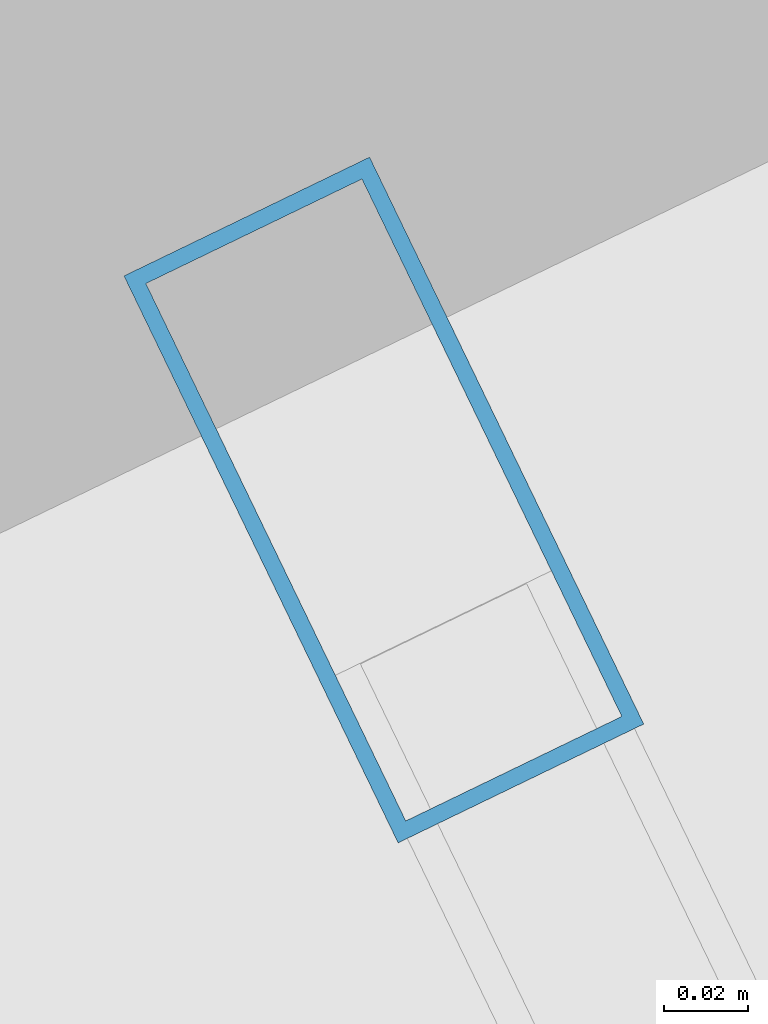
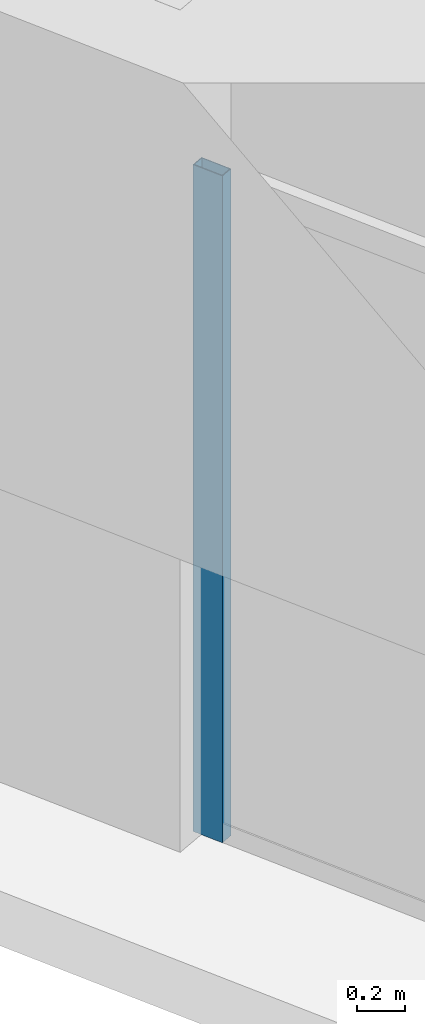
# One storey, part 16 of 39: 1 member, 1 element without a shape of its own.
"""IFC4 building model written with IfcOpenShell, lengths in metres."""

from ifc_helpers import new_model, si_unit, direction, frame, origin, origin_2d, place, context, subcontext, project, spatial, hollow_rectangle, extrude, source, transform, mapped, material, layer, layer_set, material_profile, profile_set, type_object, element, aggregate, save


model = new_model("IFC4")

# Units and contexts
model_context = context("Model", 3, precision=1e-05, world=origin(), true_north=direction((0.0, 1.0)))
body_context = subcontext(model_context, "Body", "Model", "MODEL_VIEW")
ifc_project = project(units=[si_unit("LENGTHUNIT", "METRE"), si_unit("AREAUNIT", "SQUARE_METRE"), si_unit("VOLUMEUNIT", "CUBIC_METRE"), si_unit("PLANEANGLEUNIT", "RADIAN"), si_unit("MASSUNIT", "GRAM", prefix="KILO")], contexts=[model_context])

# Site, building, storey
site_placement = place(None, origin())
site = spatial("IfcSite", under=ifc_project, at=site_placement, CompositionType="ELEMENT")
building_placement = place(site_placement, origin())
building = spatial("IfcBuilding", under=site, at=building_placement, Name="Liaohun Quay Tower", CompositionType="ELEMENT")
storey_placement = place(building_placement, frame((0.0, 0.0, 189.75)))
storey = spatial("IfcBuildingStorey", under=building, at=storey_placement, Name="L49", CompositionType="ELEMENT", Elevation=189.75)

# Curtain wall, member
ifc_material_1 = material(Name="Mid-height zone-break sky-lobby curtain wall")
ifc_layer = layer(ifc_material_1, 0.199951171875, Name="Mid-height zone-break sky-lobby curtain wall")
ifc_layer_set = layer_set([ifc_layer], Name="Mid-height zone-break sky-lobby curtain wall")
curtain_wall_type = type_object("IfcCurtainWallType", Name="CW-SKY-L49", PredefinedType="NOTDEFINED", material=ifc_layer_set)
curtain_wall_placement = place(storey_placement, origin())
curtain_wall = element("IfcCurtainWall", 1, at=curtain_wall_placement, inside=storey, type_object=curtain_wall_type, Name="L49 Panoramic Belvedere Curtain Wall 05", PredefinedType="NOTDEFINED")
ifc_material_2 = material(Name="Anodised aluminium 6063-T6", Category="aluminium")
ifc_material_profile = material_profile(ifc_material_2, hollow_rectangle(XDim=0.06494140625, YDim=0.14990234375, WallThickness=0.00390625, at=origin_2d()), Name="RHS150x65x4")
ifc_profile_set = profile_set([ifc_material_profile], Name="Anodised aluminium 6063-T6")
member_type = type_object("IfcMemberType", Name="MEM-CWM-SKY", PredefinedType="MULLION", material=ifc_profile_set)
shared_shape = source(origin(), body_context, "Body", "SweptSolid", [
    extrude(hollow_rectangle(XDim=0.06494140625, YDim=0.14990234375, WallThickness=0.00390625, at=origin_2d()), origin(), (0.0, 0.0, 1.0), 3.419921875),
])
member_placement = place(storey_placement, frame((30.170166015625, 58.40380859375, 0.0), z_axis=(0.0, 0.0, 1.0), x_axis=(0.900256072744, 0.435360773943, 0.0)))
member = element("IfcMember", 2, at=member_placement, type_object=member_type, Name="CW4 mullion 1", PredefinedType="MULLION", context=body_context, shape_type="MappedRepresentation", body=[
    mapped(shared_shape, transform((0.0, 0.0, 0.0), x_axis=(1.0, 0.0, 0.0), y_axis=(0.0, 1.0, 0.0), z_axis=(0.0, 0.0, 1.0), scale=1.0)),
])
aggregate(curtain_wall, [member])

save(model, "model.ifc")
